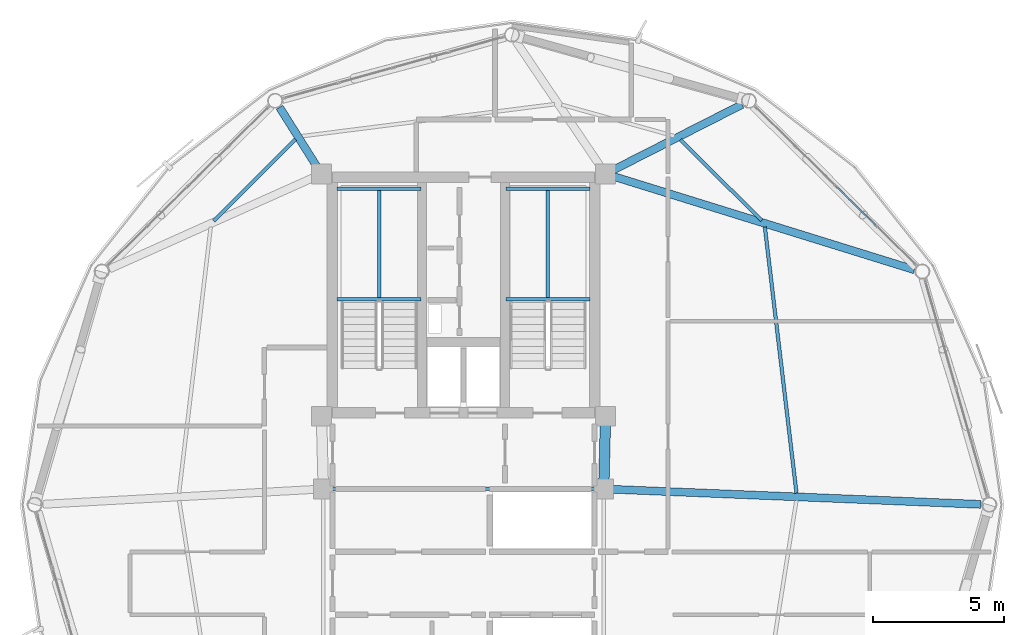
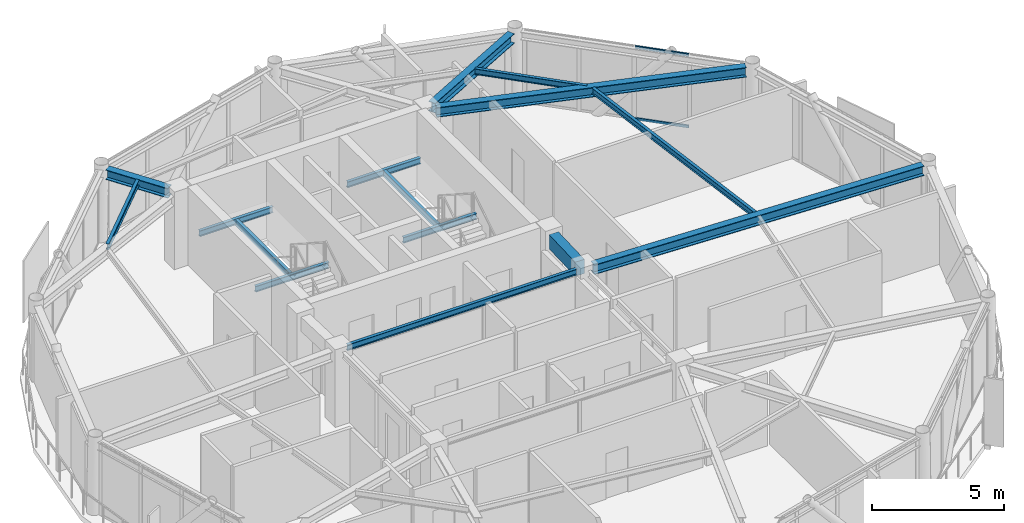
# One storey, part 14 of 27: 15 beams, 2 members, 1 element without a shape of its own.
"""IFC4 building model written with IfcOpenShell, lengths in metres."""

import ifcopenshell
import ifcopenshell.guid

model = None  # the IFC model being written
_history = None  # IfcOwnerHistory: only IFC2X3 demands one
_inside = {}  # id of a spatial element -> (the spatial element, [elements in it])
_under = {}  # id of a project, library or spatial element -> (it, [spatial elements below it])
_declared = {}  # id of a project -> (the project, [libraries it declares])
_typed = {}  # id of a type object -> (the type object, [elements of that type])
_made_of = {}  # id of a material, layer set ... -> (it, [elements and type objects made of it])


def new_model(schema):
    """Start an empty IFC model of exactly this schema.

    Asked for "IFC4X3", IfcOpenShell would pick the latest addendum, in which some entities
    have other attributes; the version numbers below select the first issue.
    IFC2X3 requires an IfcOwnerHistory on every rooted entity: one is made here for all.
    """
    global model, _history
    if schema == "IFC4X3":
        model = ifcopenshell.file(schema_version=(4, 3, 0, 0))
    else:
        model = ifcopenshell.file(schema=schema)
    _inside.clear()
    _under.clear()
    _declared.clear()
    _typed.clear()
    _made_of.clear()
    _history = None
    if model.schema == "IFC2X3":
        org = make("IfcOrganization", Name="unknown")
        user = make(
            "IfcPersonAndOrganization",
            ThePerson=make("IfcPerson", FamilyName="unknown"),
            TheOrganization=org,
        )
        app = make(
            "IfcApplication",
            ApplicationDeveloper=org,
            Version="unknown",
            ApplicationFullName="unknown",
            ApplicationIdentifier="unknown",
        )
        _history = make(
            "IfcOwnerHistory",
            OwningUser=user,
            OwningApplication=app,
            ChangeAction="ADDED",
            CreationDate=0,
        )
    return model


def make(cls, **values):
    """One entity of the class cls with the attributes given. An attribute that is None is left unset."""
    return model.create_entity(
        cls, **{name: value for name, value in values.items() if value is not None}
    )


def rooted(cls, **values):
    """An entity with a GlobalId (a new one), such as an element, a storey or a relation."""
    return make(cls, GlobalId=ifcopenshell.guid.new(), OwnerHistory=_history, **values)


def si_unit(unit_type, name, prefix=None):
    """IfcSIUnit, for example si_unit("LENGTHUNIT", "METRE", prefix="MILLI")."""
    return make("IfcSIUnit", UnitType=unit_type, Prefix=prefix, Name=name)


def assignment(units):
    """IfcUnitAssignment: the units of a project."""
    return None if units is None else make("IfcUnitAssignment", Units=units)


def point(xyz):
    """IfcCartesianPoint."""
    return None if xyz is None else make("IfcCartesianPoint", Coordinates=xyz)


def direction(xyz):
    """IfcDirection."""
    return None if xyz is None else make("IfcDirection", DirectionRatios=xyz)


def frame(location, z_axis=None, x_axis=None):
    """IfcAxis2Placement3D, a coordinate frame: its origin and axes. An axis left out is left unset."""
    return make(
        "IfcAxis2Placement3D",
        Location=point(location),
        Axis=direction(z_axis),
        RefDirection=direction(x_axis),
    )


def frame_2d(location, x_axis=None):
    """IfcAxis2Placement2D, a coordinate frame in the plane: its origin and x axis."""
    return make(
        "IfcAxis2Placement2D", Location=point(location), RefDirection=direction(x_axis)
    )


def origin():
    """The frame at (0, 0, 0) with its axes left unset."""
    return frame((0.0, 0.0, 0.0))


def origin_2d():
    """The frame at (0, 0) in the plane with its x axis left unset."""
    return frame_2d((0.0, 0.0))


def place(relative_to, where):
    """IfcLocalPlacement: puts the frame where relative to a parent placement (None: the world)."""
    return make(
        "IfcLocalPlacement", PlacementRelTo=relative_to, RelativePlacement=where
    )


def context(
    kind, dimensions, precision=None, world=None, true_north=None, identifier=None
):
    """IfcGeometricRepresentationContext, for example the 3D "Model" context."""
    return make(
        "IfcGeometricRepresentationContext",
        ContextIdentifier=identifier,
        ContextType=kind,
        CoordinateSpaceDimension=dimensions,
        Precision=precision,
        WorldCoordinateSystem=world,
        TrueNorth=true_north,
    )


def subcontext(parent, identifier, kind, view, scale=None):
    """IfcGeometricRepresentationSubContext, for example "Body" below "Model"."""
    return make(
        "IfcGeometricRepresentationSubContext",
        ContextIdentifier=identifier,
        ContextType=kind,
        ParentContext=parent,
        TargetScale=scale,
        TargetView=view,
    )


def project(units=None, contexts=None):
    """IfcProject with its units and contexts."""
    return rooted(
        "IfcProject",
        Name="project",
        RepresentationContexts=contexts,
        UnitsInContext=assignment(units),
    )


def spatial(cls, under=None, at=None, **own):
    """A site, building, storey or space (cls), placed at a placement, below another one or the project."""
    s = rooted(cls, ObjectPlacement=at, **own)
    if under is not None:
        _under.setdefault(under.id(), (under, []))[1].append(s)
    return s


def profile(cls, at=None, kind="AREA", **sizes):
    """A parametric profile (cls). Its sizes go by their IFC names, for example OverallWidth=200.0."""
    return make(cls, ProfileType=kind, Position=at, **sizes)


def rectangle(**sizes):
    """IfcRectangleProfileDef."""
    return profile("IfcRectangleProfileDef", **sizes)


def hollow_rectangle(**sizes):
    """IfcRectangleHollowProfileDef."""
    return profile("IfcRectangleHollowProfileDef", **sizes)


def i_section(**sizes):
    """IfcIShapeProfileDef."""
    return profile("IfcIShapeProfileDef", **sizes)


def extrude(swept, where, along, depth):
    """IfcExtrudedAreaSolid: the profile swept, set in the frame where, extruded along a direction by depth."""
    return make(
        "IfcExtrudedAreaSolid",
        SweptArea=swept,
        Position=where,
        ExtrudedDirection=direction(along),
        Depth=depth,
    )


def shape(context_of_items, identifier, shape_type, items):
    """IfcShapeRepresentation: the items that make up one representation, for example the "Body"."""
    return make(
        "IfcShapeRepresentation",
        ContextOfItems=context_of_items,
        RepresentationIdentifier=identifier,
        RepresentationType=shape_type,
        Items=items,
    )


def material(Name=None, Category=None):
    """IfcMaterial."""
    return make("IfcMaterial", Name=Name, Category=Category)


def layer(
    of_material, thickness, ventilated=None, Name=None, Category=None, Priority=None
):
    """IfcMaterialLayer: one layer of a wall or slab, of a material (None: an air gap)."""
    return make(
        "IfcMaterialLayer",
        Material=of_material,
        LayerThickness=thickness,
        IsVentilated=ventilated,
        Name=Name,
        Category=Category,
        Priority=Priority,
    )


def layer_set(layers, Name=None):
    """IfcMaterialLayerSet."""
    return make("IfcMaterialLayerSet", MaterialLayers=layers, LayerSetName=Name)


def material_profile(
    of_material, cross_section, Name=None, Category=None, Priority=None
):
    """IfcMaterialProfile: a cross section and its material."""
    return make(
        "IfcMaterialProfile",
        Name=Name,
        Material=of_material,
        Profile=cross_section,
        Priority=Priority,
        Category=Category,
    )


def profile_set(profiles, Name=None, composite=None):
    """IfcMaterialProfileSet."""
    return make(
        "IfcMaterialProfileSet",
        Name=Name,
        MaterialProfiles=profiles,
        CompositeProfile=composite,
    )


def made_of(thing, what):
    """Note that an element or type object is made of a material, layer set ...; save() writes the relation."""
    if what is not None:
        _made_of.setdefault(what.id(), (what, []))[1].append(thing)
    return thing


def type_object(cls, material=None, **own):
    """A type object (cls), such as IfcWallType, which elements share."""
    return made_of(rooted(cls, **own), material)


def element(
    cls,
    number,
    at=None,
    inside=None,
    cuts=None,
    type_object=None,
    material=None,
    context=None,
    identifier="Body",
    shape_type=None,
    held_by="IfcProductDefinitionShape",
    body=None,
    shapes=None,
    **own,
):
    """One element of the class cls, such as IfcWall. Its Tag is "e" and its number.

    at: its placement. inside: the storey or other place that contains it. cuts: it is an
    opening in that element (IfcRelVoidsElement). A single representation is given by context,
    identifier, shape_type and body (its items); several are given by shapes. held_by: the class
    of the entity that holds the representations. save() writes the other relations.
    """
    e = rooted(cls, Tag="e%d" % number, ObjectPlacement=at, **own)
    if body is not None:
        shapes = [shape(context, identifier, shape_type, body)]
    if shapes is not None:
        e.Representation = make(held_by, Representations=shapes)
    if inside is not None:
        _inside.setdefault(inside.id(), (inside, []))[1].append(e)
    if cuts is not None:
        rooted(
            "IfcRelVoidsElement", RelatingBuildingElement=cuts, RelatedOpeningElement=e
        )
    if type_object is not None:
        _typed.setdefault(type_object.id(), (type_object, []))[1].append(e)
    return made_of(e, material)


def aggregate(whole, parts):
    """IfcRelAggregates: a whole, such as a stair, and the parts it consists of."""
    return rooted("IfcRelAggregates", RelatingObject=whole, RelatedObjects=parts)


def save(model, path):
    """Write the relations noted so far, then the file.

    IfcRelAggregates (storeys below a building ...), IfcRelContainedInSpatialStructure (elements
    in a storey), IfcRelDefinesByType, IfcRelAssociatesMaterial and IfcRelDeclares: one each for
    every whole, place, type object, material and project.
    """
    for whole, parts in _under.values():
        aggregate(whole, parts)
    for where, things in _inside.values():
        rooted(
            "IfcRelContainedInSpatialStructure",
            RelatedElements=things,
            RelatingStructure=where,
        )
    for kind, things in _typed.values():
        rooted("IfcRelDefinesByType", RelatedObjects=things, RelatingType=kind)
    for what, things in _made_of.values():
        rooted("IfcRelAssociatesMaterial", RelatedObjects=things, RelatingMaterial=what)
    for by, libraries in _declared.values():
        rooted("IfcRelDeclares", RelatingContext=by, RelatedDefinitions=libraries)
    model.write(path)


model = new_model("IFC4")

# Units and contexts
model_context = context("Model", 3, precision=1e-05, world=origin(), true_north=direction((0.0, 1.0)))
body_context = subcontext(model_context, "Body", "Model", "MODEL_VIEW")
ifc_project = project(units=[si_unit("LENGTHUNIT", "METRE"), si_unit("AREAUNIT", "SQUARE_METRE"), si_unit("VOLUMEUNIT", "CUBIC_METRE"), si_unit("PLANEANGLEUNIT", "RADIAN"), si_unit("MASSUNIT", "GRAM", prefix="KILO")], contexts=[model_context])

# Site, building, storey
site_placement = place(None, origin())
site = spatial("IfcSite", under=ifc_project, at=site_placement, CompositionType="ELEMENT")
building_placement = place(site_placement, origin())
building = spatial("IfcBuilding", under=site, at=building_placement, Name="Varnakorn Sky Granary", CompositionType="ELEMENT")
storey_placement = place(building_placement, frame((0.0, 0.0, 263.39990234375)))
storey = spatial("IfcBuildingStorey", under=building, at=storey_placement, Name="L67", CompositionType="ELEMENT", Elevation=263.39990234375)

# Beams
ifc_material_1 = material(Name="Concrete C50/60", Category="concrete")
ifc_material_profile_1 = material_profile(ifc_material_1, rectangle(XDim=0.39990234375, YDim=0.64990234375, at=origin_2d()), Name="RC 400x650")
ifc_profile_set_1 = profile_set([ifc_material_profile_1], Name="Concrete C50/60")
beam_type_1 = type_object("IfcBeamType", Name="BM-LIN-650", PredefinedType="LINTEL", material=ifc_profile_set_1)
beam_1_placement = place(storey_placement, frame((8.4111328125, 3.025146484375, 3.03515625), z_axis=(-0.025227817192, -0.999681727971, 0.0), x_axis=(0.999681727971, -0.025227817192, 0.0)))
element("IfcBeam", 1, at=beam_1_placement, inside=storey, type_object=beam_type_1, Name="Core Spine Framing Beam 2 L67", PredefinedType="LINTEL", context=body_context, shape_type="SweptSolid", body=[
    extrude(rectangle(XDim=0.39990234375, YDim=0.64990234375, at=origin_2d()), origin(), (0.0, 0.0, 1.0), 2.071044921875),
])
ifc_material_2 = material(Name="Steel S355JR", Category="steel")
ifc_material_profile_2 = material_profile(ifc_material_2, i_section(OverallWidth=0.135009765625, OverallDepth=0.27001953125, WebThickness=0.006591796875, FlangeThickness=0.01025390625, at=origin_2d()), Name="IPE 270")
ifc_profile_set_2 = profile_set([ifc_material_profile_2], Name="Steel S355JR")
beam_type_2 = type_object("IfcBeamType", Name="BM-LND-270", PredefinedType="BEAM", material=ifc_profile_set_2)
for number, where, z_axis, x_axis, name in (
    (2, (-1.820068359375, 7.840087890625, 1.465087890625), (1.0, 0.0, 0.0), (0.0, 1.0, 0.0), "Stair ST-1 Landing Trimmer Beam A L67-1"),
    (3, (-1.820068359375, 12.06005859375, 1.465087890625), (1.0, 0.0, 0.0), (0.0, 1.0, 0.0), "Stair ST-1 Landing Trimmer Beam B L67-1"),
):
    element("IfcBeam", number, at=place(storey_placement, frame(where, z_axis=z_axis, x_axis=x_axis)), inside=storey, type_object=beam_type_2, Name=name, PredefinedType="BEAM", context=body_context, shape_type="SweptSolid", body=[
        extrude(i_section(OverallWidth=0.135009765625, OverallDepth=0.27001953125, WebThickness=0.006591796875, FlangeThickness=0.01025390625, at=origin_2d()), origin(), (0.0, 0.0, 1.0), 3.199951171875),
    ])
beam_2_placement = place(storey_placement, frame((-0.219970703125, 7.840087890625, 1.465087890625), z_axis=(0.0, 1.0, 0.0), x_axis=(-1.0, 0.0, 0.0)))
element("IfcBeam", 4, at=beam_2_placement, inside=storey, type_object=beam_type_2, Name="Stair ST-1 Landing Cross Beam C L67-1", PredefinedType="BEAM", context=body_context, shape_type="SweptSolid", body=[
    extrude(i_section(OverallWidth=0.135009765625, OverallDepth=0.27001953125, WebThickness=0.006591796875, FlangeThickness=0.01025390625, at=origin_2d()), origin(), (0.0, 0.0, 1.0), 4.219970703125),
])
for number, where, z_axis, x_axis, name in (
    (5, (4.6201171875, 7.840087890625, 1.465087890625), (1.0, 0.0, 0.0), (0.0, 1.0, 0.0), "Stair ST-2 Landing Trimmer Beam A L67-1"),
    (6, (4.6201171875, 12.06005859375, 1.465087890625), (1.0, 0.0, 0.0), (0.0, 1.0, 0.0), "Stair ST-2 Landing Trimmer Beam B L67-1"),
):
    element("IfcBeam", number, at=place(storey_placement, frame(where, z_axis=z_axis, x_axis=x_axis)), inside=storey, type_object=beam_type_2, Name=name, PredefinedType="BEAM", context=body_context, shape_type="SweptSolid", body=[
        extrude(i_section(OverallWidth=0.135009765625, OverallDepth=0.27001953125, WebThickness=0.006591796875, FlangeThickness=0.01025390625, at=origin_2d()), origin(), (0.0, 0.0, 1.0), 3.199951171875),
    ])
beam_3_placement = place(storey_placement, frame((6.219970703125, 7.840087890625, 1.465087890625), z_axis=(0.0, 1.0, 0.0), x_axis=(-1.0, 0.0, 0.0)))
element("IfcBeam", 7, at=beam_3_placement, inside=storey, type_object=beam_type_2, Name="Stair ST-2 Landing Cross Beam C L67-1", PredefinedType="BEAM", context=body_context, shape_type="SweptSolid", body=[
    extrude(i_section(OverallWidth=0.135009765625, OverallDepth=0.27001953125, WebThickness=0.006591796875, FlangeThickness=0.01025390625, at=origin_2d()), origin(), (0.0, 0.0, 1.0), 4.219970703125),
])
ifc_material_profile_3 = material_profile(ifc_material_2, i_section(OverallWidth=0.300048828125, OverallDepth=0.449951171875, WebThickness=0.013916015625, FlangeThickness=0.02587890625, at=origin_2d()), Name="HE 450 B")
ifc_profile_set_3 = profile_set([ifc_material_profile_3], Name="Steel S355JR")
beam_type_3 = type_object("IfcBeamType", Name="BM-RAD-Z5", PredefinedType="BEAM", material=ifc_profile_set_3)
beam_4_placement = place(storey_placement, frame((8.70458984375, 0.58544921875, 3.135009765625), z_axis=(0.9991629294, -0.040907707246, 0.0), x_axis=(0.040907707246, 0.9991629294, 0.0)))
element("IfcBeam", 8, at=beam_4_placement, inside=storey, type_object=beam_type_3, Name="Radial Floor Girder RG01 L67", PredefinedType="BEAM", context=body_context, shape_type="SweptSolid", body=[
    extrude(i_section(OverallWidth=0.300048828125, OverallDepth=0.449951171875, WebThickness=0.013916015625, FlangeThickness=0.02587890625, at=origin_2d()), origin(), (0.0, 0.0, 1.0), 14.048828125),
])
beam_5_placement = place(storey_placement, frame((8.759033203125, 12.514892578125, 3.135009765625), z_axis=(0.955050612957, -0.296442788224, 0.0), x_axis=(0.296442788224, 0.955050612957, 0.0)))
element("IfcBeam", 9, at=beam_5_placement, inside=storey, type_object=beam_type_3, Name="Radial Floor Girder RG02 L67", PredefinedType="BEAM", context=body_context, shape_type="SweptSolid", body=[
    extrude(i_section(OverallWidth=0.300048828125, OverallDepth=0.449951171875, WebThickness=0.013916015625, FlangeThickness=0.02587890625, at=origin_2d()), origin(), (0.0, 0.0, 1.0), 11.983642578125),
])
beam_6_placement = place(storey_placement, frame((8.736328125, 12.781005859375, 3.135009765625), z_axis=(0.891316534339, 0.453381556323, 0.0), x_axis=(-0.453381556323, 0.891316534339, 0.0)))
element("IfcBeam", 10, at=beam_6_placement, inside=storey, type_object=beam_type_3, Name="Radial Floor Girder RG03 L67", PredefinedType="BEAM", context=body_context, shape_type="SweptSolid", body=[
    extrude(i_section(OverallWidth=0.300048828125, OverallDepth=0.449951171875, WebThickness=0.013916015625, FlangeThickness=0.02587890625, at=origin_2d()), origin(), (0.0, 0.0, 1.0), 5.484619140625),
])
beam_7_placement = place(storey_placement, frame((-2.60888671875, 12.92041015625, 3.135009765625), z_axis=(-0.532414919102, 0.846483522532, 0.0), x_axis=(-0.846483522532, -0.532414919102, 0.0)))
element("IfcBeam", 11, at=beam_7_placement, inside=storey, type_object=beam_type_3, Name="Radial Floor Girder RG05 L67", PredefinedType="BEAM", context=body_context, shape_type="SweptSolid", body=[
    extrude(i_section(OverallWidth=0.300048828125, OverallDepth=0.449951171875, WebThickness=0.013916015625, FlangeThickness=0.02587890625, at=origin_2d()), origin(), (0.0, 0.0, 1.0), 2.64990234375),
])
ifc_material_profile_4 = material_profile(ifc_material_2, i_section(OverallWidth=0.135009765625, OverallDepth=0.27001953125, WebThickness=0.006591796875, FlangeThickness=0.01025390625, at=origin_2d()), Name="IPE 270")
ifc_profile_set_4 = profile_set([ifc_material_profile_4], Name="Steel S355JR")
beam_type_4 = type_object("IfcBeamType", Name="BM-SEC-Z5", PredefinedType="BEAM", material=ifc_profile_set_4)
beam_8_placement = place(storey_placement, frame((15.706787109375, 0.437255859375, 3.22509765625), z_axis=(-0.11811039827, 0.993000470202, 0.0), x_axis=(-0.993000470202, -0.11811039827, 0.0)))
element("IfcBeam", 12, at=beam_8_placement, inside=storey, type_object=beam_type_4, Name="Secondary Floor Chord Beam MSB01 L67", PredefinedType="BEAM", context=body_context, shape_type="SweptSolid", body=[
    extrude(i_section(OverallWidth=0.135009765625, OverallDepth=0.27001953125, WebThickness=0.006591796875, FlangeThickness=0.01025390625, at=origin_2d()), origin(), (0.0, 0.0, 1.0), 10.23388671875),
])
beam_9_placement = place(storey_placement, frame((14.38232421875, 10.83740234375, 3.22509765625), z_axis=(-0.708750140088, 0.705459594112, 0.0), x_axis=(-0.705459594112, -0.708750140088, 0.0)))
element("IfcBeam", 13, at=beam_9_placement, inside=storey, type_object=beam_type_4, Name="Secondary Floor Chord Beam MSB02 L67", PredefinedType="BEAM", context=body_context, shape_type="SweptSolid", body=[
    extrude(i_section(OverallWidth=0.135009765625, OverallDepth=0.27001953125, WebThickness=0.006591796875, FlangeThickness=0.01025390625, at=origin_2d()), origin(), (0.0, 0.0, 1.0), 4.37744140625),
])
beam_10_placement = place(storey_placement, frame((-3.413330078125, 13.943115234375, 3.22509765625), z_axis=(-0.707854821819, -0.706357948371, 0.0), x_axis=(0.706357948371, -0.707854821819, 0.0)))
element("IfcBeam", 14, at=beam_10_placement, inside=storey, type_object=beam_type_4, Name="Secondary Floor Chord Beam MSB05 L67", PredefinedType="BEAM", context=body_context, shape_type="SweptSolid", body=[
    extrude(i_section(OverallWidth=0.135009765625, OverallDepth=0.27001953125, WebThickness=0.006591796875, FlangeThickness=0.01025390625, at=origin_2d()), origin(), (0.0, 0.0, 1.0), 4.40380859375),
])
beam_11_placement = place(storey_placement, frame((-1.9951171875, 0.60009765625, 3.22509765625), z_axis=(1.0, 0.0, 0.0), x_axis=(0.0, 1.0, 0.0)))
element("IfcBeam", 15, at=beam_11_placement, inside=storey, type_object=beam_type_4, Name="Core Spine Framing Beam 5 L67", PredefinedType="BEAM", context=body_context, shape_type="SweptSolid", body=[
    extrude(i_section(OverallWidth=0.135009765625, OverallDepth=0.27001953125, WebThickness=0.006591796875, FlangeThickness=0.01025390625, at=origin_2d()), origin(), (0.0, 0.0, 1.0), 9.990234375),
])

# Curtain wall, members
ifc_material_3 = material(Name="Anodised Bronze Aluminium Alloy 6063-T6", Category="aluminium")
ifc_layer = layer(ifc_material_3, 0.159912109375, Name="Anodised Bronze Aluminium Alloy 6063-T6")
ifc_layer_set = layer_set([ifc_layer], Name="Anodised Bronze Aluminium Alloy 6063-T6")
curtain_wall_type = type_object("IfcCurtainWallType", Name="CW-OFF-1", PredefinedType="USERDEFINED", material=ifc_layer_set)
curtain_wall_placement = place(storey_placement, origin())
curtain_wall = element("IfcCurtainWall", 16, at=curtain_wall_placement, inside=storey, type_object=curtain_wall_type, Name="Unitised Curtain Wall CW6 CW-L67-B02", ObjectType="CURTAIN WALL", PredefinedType="USERDEFINED")
ifc_material_profile_5 = material_profile(ifc_material_3, hollow_rectangle(XDim=0.06494140625, YDim=0.1201171875, WallThickness=0.00341796875, at=origin_2d()), Name="ALU TRAN 65x120")
ifc_profile_set_5 = profile_set([ifc_material_profile_5], Name="Anodised Bronze Aluminium Alloy 6063-T6")
member_type = type_object("IfcMemberType", Name="CW-OFF-1-TRAN", PredefinedType="USERDEFINED", material=ifc_profile_set_5)
member_1_placement = place(storey_placement, frame((17.228271484375, 12.13623046875, 0.03271484375), z_axis=(0.712698135918, -0.701470859737, 0.0), x_axis=(0.701470859737, 0.712698135918, 0.0)))
member_1 = element("IfcMember", 17, at=member_1_placement, type_object=member_type, Name="CW6 transom 3.1", ObjectType="TRANSOM", PredefinedType="USERDEFINED", context=body_context, shape_type="SweptSolid", body=[
    extrude(hollow_rectangle(XDim=0.06494140625, YDim=0.1201171875, WallThickness=0.00341796875, at=origin_2d()), origin(), (0.0, 0.0, 1.0), 2.087646484375),
])
member_2_placement = place(storey_placement, frame((17.228271484375, 12.13623046875, 3.32763671875), z_axis=(0.712698135918, -0.701470859737, 0.0), x_axis=(0.701470859737, 0.712698135918, 0.0)))
member_2 = element("IfcMember", 18, at=member_2_placement, type_object=member_type, Name="CW6 transom 3.2", ObjectType="TRANSOM", PredefinedType="USERDEFINED", context=body_context, shape_type="SweptSolid", body=[
    extrude(hollow_rectangle(XDim=0.06494140625, YDim=0.1201171875, WallThickness=0.00341796875, at=origin_2d()), origin(), (0.0, 0.0, 1.0), 2.087646484375),
])
aggregate(curtain_wall, [member_1, member_2])

save(model, "model.ifc")
